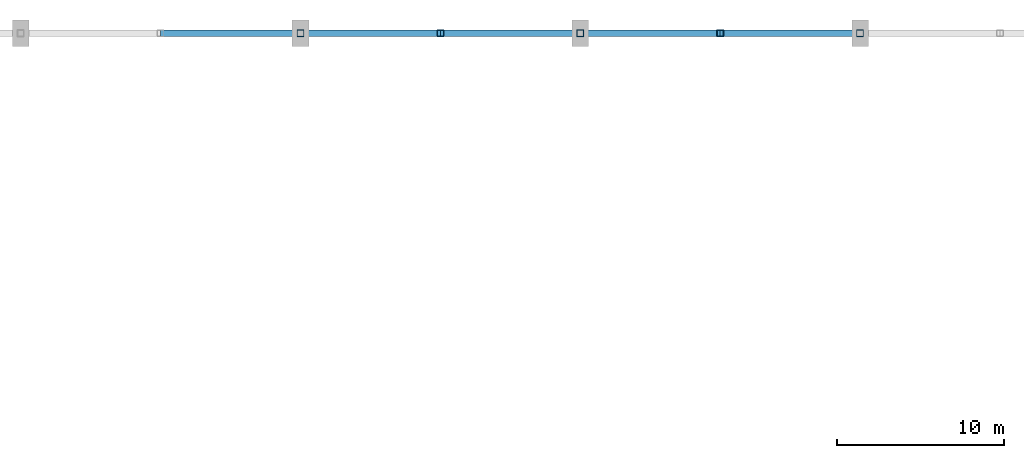
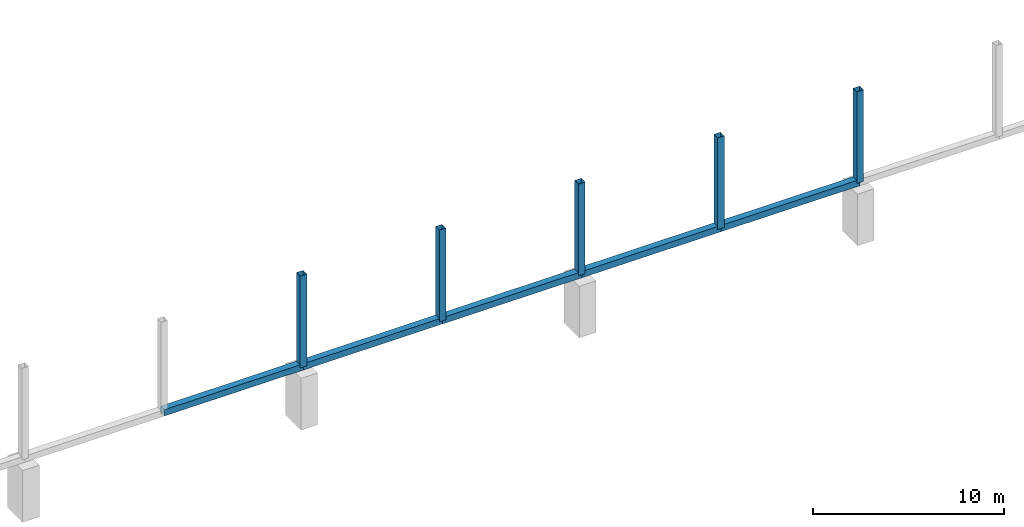
# One storey, part 62 of 163: 10 members.
"""IFC4 building model written with IfcOpenShell, lengths in metres."""

import ifcopenshell
import ifcopenshell.guid

model = None  # the IFC model being written
_history = None  # IfcOwnerHistory: only IFC2X3 demands one
_inside = {}  # id of a spatial element -> (the spatial element, [elements in it])
_under = {}  # id of a project, library or spatial element -> (it, [spatial elements below it])
_declared = {}  # id of a project -> (the project, [libraries it declares])
_typed = {}  # id of a type object -> (the type object, [elements of that type])
_made_of = {}  # id of a material, layer set ... -> (it, [elements and type objects made of it])


def new_model(schema):
    """Start an empty IFC model of exactly this schema.

    Asked for "IFC4X3", IfcOpenShell would pick the latest addendum, in which some entities
    have other attributes; the version numbers below select the first issue.
    IFC2X3 requires an IfcOwnerHistory on every rooted entity: one is made here for all.
    """
    global model, _history
    if schema == "IFC4X3":
        model = ifcopenshell.file(schema_version=(4, 3, 0, 0))
    else:
        model = ifcopenshell.file(schema=schema)
    _inside.clear()
    _under.clear()
    _declared.clear()
    _typed.clear()
    _made_of.clear()
    _history = None
    if model.schema == "IFC2X3":
        org = make("IfcOrganization", Name="unknown")
        user = make(
            "IfcPersonAndOrganization",
            ThePerson=make("IfcPerson", FamilyName="unknown"),
            TheOrganization=org,
        )
        app = make(
            "IfcApplication",
            ApplicationDeveloper=org,
            Version="unknown",
            ApplicationFullName="unknown",
            ApplicationIdentifier="unknown",
        )
        _history = make(
            "IfcOwnerHistory",
            OwningUser=user,
            OwningApplication=app,
            ChangeAction="ADDED",
            CreationDate=0,
        )
    return model


def make(cls, **values):
    """One entity of the class cls with the attributes given. An attribute that is None is left unset."""
    return model.create_entity(
        cls, **{name: value for name, value in values.items() if value is not None}
    )


def rooted(cls, **values):
    """An entity with a GlobalId (a new one), such as an element, a storey or a relation."""
    return make(cls, GlobalId=ifcopenshell.guid.new(), OwnerHistory=_history, **values)


def si_unit(unit_type, name, prefix=None):
    """IfcSIUnit, for example si_unit("LENGTHUNIT", "METRE", prefix="MILLI")."""
    return make("IfcSIUnit", UnitType=unit_type, Prefix=prefix, Name=name)


def assignment(units):
    """IfcUnitAssignment: the units of a project."""
    return None if units is None else make("IfcUnitAssignment", Units=units)


def point(xyz):
    """IfcCartesianPoint."""
    return None if xyz is None else make("IfcCartesianPoint", Coordinates=xyz)


def direction(xyz):
    """IfcDirection."""
    return None if xyz is None else make("IfcDirection", DirectionRatios=xyz)


def frame(location, z_axis=None, x_axis=None):
    """IfcAxis2Placement3D, a coordinate frame: its origin and axes. An axis left out is left unset."""
    return make(
        "IfcAxis2Placement3D",
        Location=point(location),
        Axis=direction(z_axis),
        RefDirection=direction(x_axis),
    )


def frame_2d(location, x_axis=None):
    """IfcAxis2Placement2D, a coordinate frame in the plane: its origin and x axis."""
    return make(
        "IfcAxis2Placement2D", Location=point(location), RefDirection=direction(x_axis)
    )


def origin():
    """The frame at (0, 0, 0) with its axes left unset."""
    return frame((0.0, 0.0, 0.0))


def origin_2d():
    """The frame at (0, 0) in the plane with its x axis left unset."""
    return frame_2d((0.0, 0.0))


def place(relative_to, where):
    """IfcLocalPlacement: puts the frame where relative to a parent placement (None: the world)."""
    return make(
        "IfcLocalPlacement", PlacementRelTo=relative_to, RelativePlacement=where
    )


def context(
    kind, dimensions, precision=None, world=None, true_north=None, identifier=None
):
    """IfcGeometricRepresentationContext, for example the 3D "Model" context."""
    return make(
        "IfcGeometricRepresentationContext",
        ContextIdentifier=identifier,
        ContextType=kind,
        CoordinateSpaceDimension=dimensions,
        Precision=precision,
        WorldCoordinateSystem=world,
        TrueNorth=true_north,
    )


def subcontext(parent, identifier, kind, view, scale=None):
    """IfcGeometricRepresentationSubContext, for example "Body" below "Model"."""
    return make(
        "IfcGeometricRepresentationSubContext",
        ContextIdentifier=identifier,
        ContextType=kind,
        ParentContext=parent,
        TargetScale=scale,
        TargetView=view,
    )


def project(units=None, contexts=None):
    """IfcProject with its units and contexts."""
    return rooted(
        "IfcProject",
        Name="project",
        RepresentationContexts=contexts,
        UnitsInContext=assignment(units),
    )


def spatial(cls, under=None, at=None, **own):
    """A site, building, storey or space (cls), placed at a placement, below another one or the project."""
    s = rooted(cls, ObjectPlacement=at, **own)
    if under is not None:
        _under.setdefault(under.id(), (under, []))[1].append(s)
    return s


def profile(cls, at=None, kind="AREA", **sizes):
    """A parametric profile (cls). Its sizes go by their IFC names, for example OverallWidth=200.0."""
    return make(cls, ProfileType=kind, Position=at, **sizes)


def hollow_rectangle(**sizes):
    """IfcRectangleHollowProfileDef."""
    return profile("IfcRectangleHollowProfileDef", **sizes)


def extrude(swept, where, along, depth):
    """IfcExtrudedAreaSolid: the profile swept, set in the frame where, extruded along a direction by depth."""
    return make(
        "IfcExtrudedAreaSolid",
        SweptArea=swept,
        Position=where,
        ExtrudedDirection=direction(along),
        Depth=depth,
    )


def shape(context_of_items, identifier, shape_type, items):
    """IfcShapeRepresentation: the items that make up one representation, for example the "Body"."""
    return make(
        "IfcShapeRepresentation",
        ContextOfItems=context_of_items,
        RepresentationIdentifier=identifier,
        RepresentationType=shape_type,
        Items=items,
    )


def material(Name=None, Category=None):
    """IfcMaterial."""
    return make("IfcMaterial", Name=Name, Category=Category)


def material_profile(
    of_material, cross_section, Name=None, Category=None, Priority=None
):
    """IfcMaterialProfile: a cross section and its material."""
    return make(
        "IfcMaterialProfile",
        Name=Name,
        Material=of_material,
        Profile=cross_section,
        Priority=Priority,
        Category=Category,
    )


def profile_set(profiles, Name=None, composite=None):
    """IfcMaterialProfileSet."""
    return make(
        "IfcMaterialProfileSet",
        Name=Name,
        MaterialProfiles=profiles,
        CompositeProfile=composite,
    )


def made_of(thing, what):
    """Note that an element or type object is made of a material, layer set ...; save() writes the relation."""
    if what is not None:
        _made_of.setdefault(what.id(), (what, []))[1].append(thing)
    return thing


def type_object(cls, material=None, **own):
    """A type object (cls), such as IfcWallType, which elements share."""
    return made_of(rooted(cls, **own), material)


def element(
    cls,
    number,
    at=None,
    inside=None,
    cuts=None,
    type_object=None,
    material=None,
    context=None,
    identifier="Body",
    shape_type=None,
    held_by="IfcProductDefinitionShape",
    body=None,
    shapes=None,
    **own,
):
    """One element of the class cls, such as IfcWall. Its Tag is "e" and its number.

    at: its placement. inside: the storey or other place that contains it. cuts: it is an
    opening in that element (IfcRelVoidsElement). A single representation is given by context,
    identifier, shape_type and body (its items); several are given by shapes. held_by: the class
    of the entity that holds the representations. save() writes the other relations.
    """
    e = rooted(cls, Tag="e%d" % number, ObjectPlacement=at, **own)
    if body is not None:
        shapes = [shape(context, identifier, shape_type, body)]
    if shapes is not None:
        e.Representation = make(held_by, Representations=shapes)
    if inside is not None:
        _inside.setdefault(inside.id(), (inside, []))[1].append(e)
    if cuts is not None:
        rooted(
            "IfcRelVoidsElement", RelatingBuildingElement=cuts, RelatedOpeningElement=e
        )
    if type_object is not None:
        _typed.setdefault(type_object.id(), (type_object, []))[1].append(e)
    return made_of(e, material)


def aggregate(whole, parts):
    """IfcRelAggregates: a whole, such as a stair, and the parts it consists of."""
    return rooted("IfcRelAggregates", RelatingObject=whole, RelatedObjects=parts)


def save(model, path):
    """Write the relations noted so far, then the file.

    IfcRelAggregates (storeys below a building ...), IfcRelContainedInSpatialStructure (elements
    in a storey), IfcRelDefinesByType, IfcRelAssociatesMaterial and IfcRelDeclares: one each for
    every whole, place, type object, material and project.
    """
    for whole, parts in _under.values():
        aggregate(whole, parts)
    for where, things in _inside.values():
        rooted(
            "IfcRelContainedInSpatialStructure",
            RelatedElements=things,
            RelatingStructure=where,
        )
    for kind, things in _typed.values():
        rooted("IfcRelDefinesByType", RelatedObjects=things, RelatingType=kind)
    for what, things in _made_of.values():
        rooted("IfcRelAssociatesMaterial", RelatedObjects=things, RelatingMaterial=what)
    for by, libraries in _declared.values():
        rooted("IfcRelDeclares", RelatingContext=by, RelatedDefinitions=libraries)
    model.write(path)


model = new_model("IFC4")

# Units and contexts
model_context = context("Model", 3, precision=1e-05, world=origin(), true_north=direction((0.0, 1.0)))
body_context = subcontext(model_context, "Body", "Model", "MODEL_VIEW")
ifc_project = project(units=[si_unit("LENGTHUNIT", "METRE"), si_unit("AREAUNIT", "SQUARE_METRE"), si_unit("VOLUMEUNIT", "CUBIC_METRE"), si_unit("PLANEANGLEUNIT", "RADIAN"), si_unit("MASSUNIT", "GRAM", prefix="KILO")], contexts=[model_context])

# Site, building, storey
site_placement = place(None, origin())
site = spatial("IfcSite", under=ifc_project, at=site_placement, CompositionType="ELEMENT")
building_placement = place(site_placement, origin())
building = spatial("IfcBuilding", under=site, at=building_placement, Name="Rain Tree Exposition and Congress Centre", CompositionType="ELEMENT")
storey_placement = place(building_placement, frame((0.0, 0.0, 10.5)))
storey = spatial("IfcBuildingStorey", under=building, at=storey_placement, Name="L02", CompositionType="ELEMENT", Elevation=10.5)

# Members
ifc_material_1 = material(Name="Steel S355J2H", Category="steel")
ifc_material_profile_1 = material_profile(ifc_material_1, hollow_rectangle(XDim=0.39990234375, YDim=0.39990234375, WallThickness=0.011962890625, at=origin_2d()), Name="RHS 400x400x12")
ifc_profile_set_1 = profile_set([ifc_material_profile_1], Name="Steel S355J2H")
member_type_1 = type_object("IfcMemberType", Name="Steel chord member RHS 400x400x12", PredefinedType="CHORD", material=ifc_profile_set_1)
member_1_placement = place(storey_placement, frame((184.800048828125, 201.60009765625, 3.5), z_axis=(1.0, 0.0, 0.0), x_axis=(0.0, 1.0, 0.0)))
element("IfcMember", 1, at=member_1_placement, inside=storey, type_object=member_type_1, Name="Eaves chord 1183", PredefinedType="CHORD", context=body_context, shape_type="SweptSolid", body=[
    extrude(hollow_rectangle(XDim=0.39990234375, YDim=0.39990234375, WallThickness=0.011962890625, at=origin_2d()), origin(), (0.0, 0.0, 1.0), 8.39990234375),
])
member_2_placement = place(storey_placement, frame((193.199951171875, 201.60009765625, 3.5), z_axis=(1.0, 0.0, 0.0), x_axis=(0.0, 1.0, 0.0)))
element("IfcMember", 2, at=member_2_placement, inside=storey, type_object=member_type_1, Name="Eaves chord 1184", PredefinedType="CHORD", context=body_context, shape_type="SweptSolid", body=[
    extrude(hollow_rectangle(XDim=0.39990234375, YDim=0.39990234375, WallThickness=0.011962890625, at=origin_2d()), origin(), (0.0, 0.0, 1.0), 8.400146484375),
])
for number, where, z_axis, x_axis, name in (
    (3, (201.60009765625, 201.60009765625, 3.5), (1.0, 0.0, 0.0), (0.0, 1.0, 0.0), "Eaves chord 1185"),
    (4, (210.0, 201.60009765625, 3.5), (1.0, 0.0, 0.0), (0.0, 1.0, 0.0), "Eaves chord 1186"),
):
    element("IfcMember", number, at=place(storey_placement, frame(where, z_axis=z_axis, x_axis=x_axis)), inside=storey, type_object=member_type_1, Name=name, PredefinedType="CHORD", context=body_context, shape_type="SweptSolid", body=[
        extrude(hollow_rectangle(XDim=0.39990234375, YDim=0.39990234375, WallThickness=0.011962890625, at=origin_2d()), origin(), (0.0, 0.0, 1.0), 8.39990234375),
    ])
member_3_placement = place(storey_placement, frame((218.39990234375, 201.60009765625, 3.5), z_axis=(1.0, 0.0, 0.0), x_axis=(0.0, 1.0, 0.0)))
element("IfcMember", 5, at=member_3_placement, inside=storey, type_object=member_type_1, Name="Eaves chord 1187", PredefinedType="CHORD", context=body_context, shape_type="SweptSolid", body=[
    extrude(hollow_rectangle(XDim=0.39990234375, YDim=0.39990234375, WallThickness=0.011962890625, at=origin_2d()), origin(), (0.0, 0.0, 1.0), 8.400146484375),
])
ifc_material_2 = material(Name="Steel S355J2H", Category="steel")
ifc_material_profile_2 = material_profile(ifc_material_2, hollow_rectangle(XDim=0.39990234375, YDim=0.39990234375, WallThickness=0.011962890625, at=origin_2d()), Name="RHS 400x400x12")
ifc_profile_set_2 = profile_set([ifc_material_profile_2], Name="Steel S355J2H")
member_type_2 = type_object("IfcMemberType", Name="Steel post member RHS 400x400x12", PredefinedType="POST", material=ifc_profile_set_2)
for number, where, z_axis, x_axis, name in (
    (6, (193.199951171875, 201.60009765625, 3.5), (0.0, 0.0, 1.0), (1.0, 0.0, 0.0), "Eaves post 1196"),
    (7, (201.60009765625, 201.60009765625, 3.5), (0.0, 0.0, 1.0), (1.0, 0.0, 0.0), "Eaves post 1197"),
    (8, (210.0, 201.60009765625, 3.5), (0.0, 0.0, 1.0), (1.0, 0.0, 0.0), "Eaves post 1198"),
    (9, (218.39990234375, 201.60009765625, 3.5), (0.0, 0.0, 1.0), (1.0, 0.0, 0.0), "Eaves post 1199"),
    (10, (226.800048828125, 201.60009765625, 3.5), (0.0, 0.0, 1.0), (1.0, 0.0, 0.0), "Eaves post 1200"),
):
    element("IfcMember", number, at=place(storey_placement, frame(where, z_axis=z_axis, x_axis=x_axis)), inside=storey, type_object=member_type_2, Name=name, PredefinedType="POST", context=body_context, shape_type="SweptSolid", body=[
        extrude(hollow_rectangle(XDim=0.39990234375, YDim=0.39990234375, WallThickness=0.011962890625, at=origin_2d()), origin(), (0.0, 0.0, 1.0), 5.85009765625),
    ])

save(model, "model.ifc")
